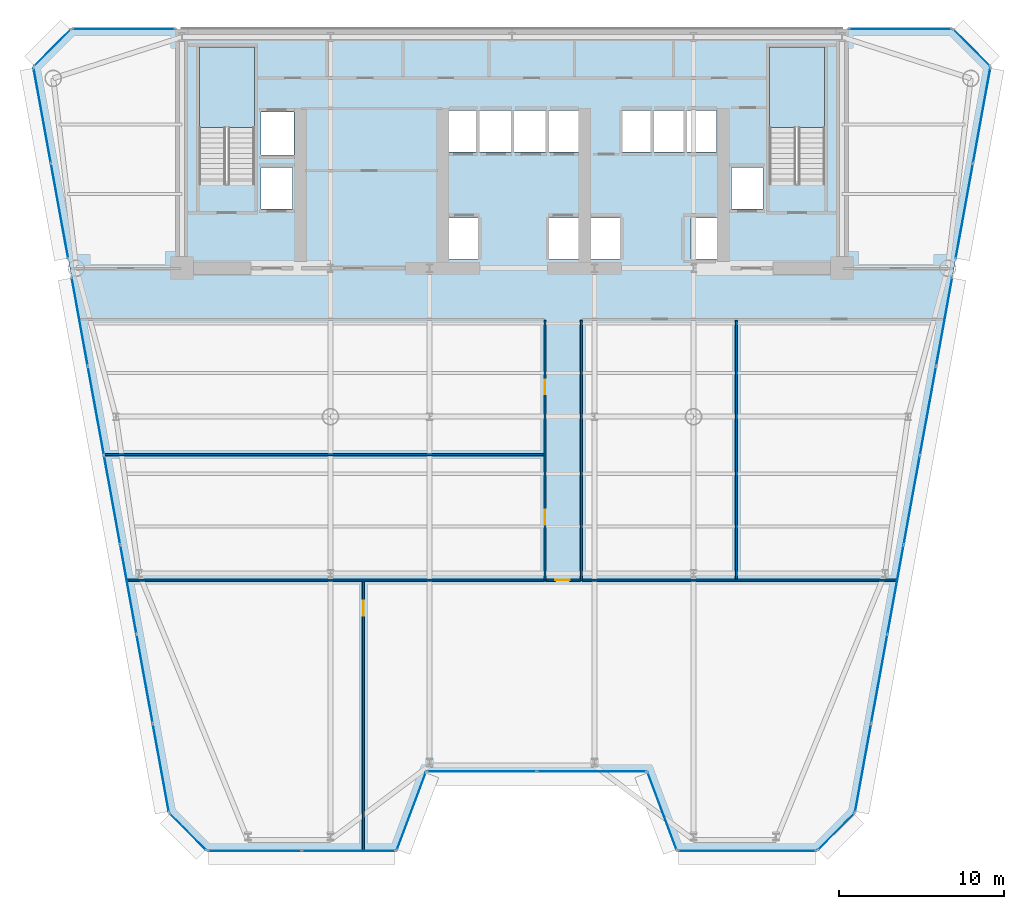
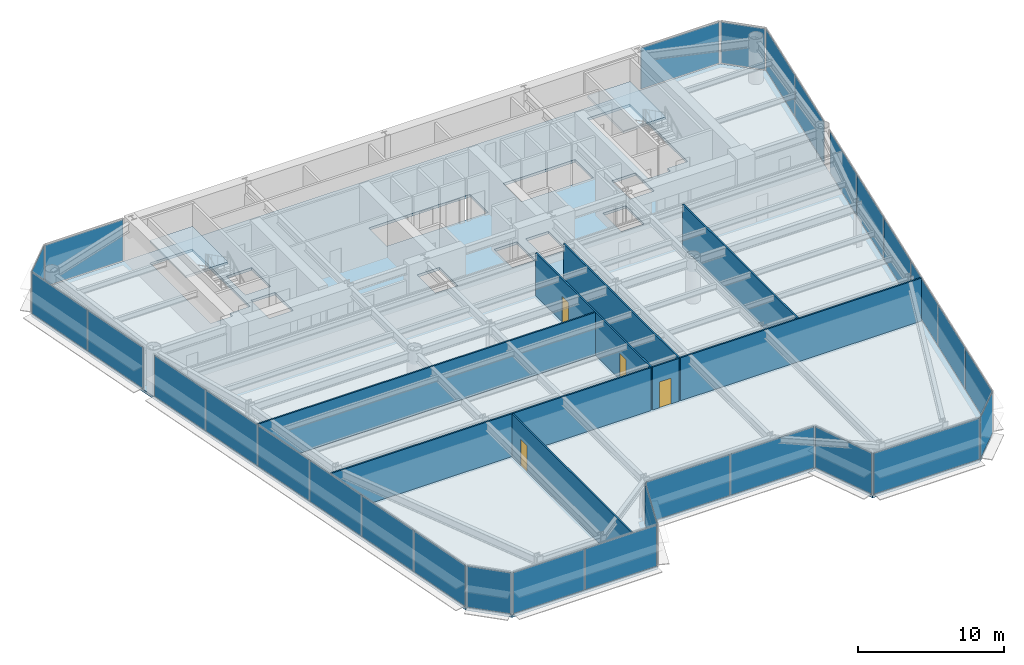
# One storey, part 7 of 14: 29 plates, 8 walls, 4 doors, 3 slabs, 4 openings, 17 elements without a shape of their own.
"""IFC4 building model written with IfcOpenShell, lengths in metres."""

from ifc_helpers import new_model, si_unit, direction, frame, frame_2d, origin, origin_2d, place, context, subcontext, project, spatial, polyline, rectangle, outline, extrude, source, transform, mapped, material, layer, layer_set, type_object, element, fill, aggregate, save


model = new_model("IFC4")

# Units and contexts
model_context = context("Model", 3, precision=1e-05, world=origin(), true_north=direction((0.0, 1.0)))
body_context = subcontext(model_context, "Body", "Model", "MODEL_VIEW")
ifc_project = project(units=[si_unit("LENGTHUNIT", "METRE"), si_unit("AREAUNIT", "SQUARE_METRE"), si_unit("VOLUMEUNIT", "CUBIC_METRE"), si_unit("PLANEANGLEUNIT", "RADIAN"), si_unit("MASSUNIT", "GRAM", prefix="KILO")], contexts=[model_context])

# Site, building, storey
site_placement = place(None, origin())
site = spatial("IfcSite", under=ifc_project, at=site_placement, CompositionType="ELEMENT")
building_placement = place(site_placement, origin())
building = spatial("IfcBuilding", under=site, at=building_placement, Name="Vaeldorn Concourse Tower", CompositionType="ELEMENT")
storey_placement = place(building_placement, frame((0.0, 0.0, 126.199951171875)))
storey = spatial("IfcBuildingStorey", under=building, at=storey_placement, Name="L32", CompositionType="ELEMENT", Elevation=126.199951171875)

# Stair, slab
ifc_material_1 = material(Name="Precast concrete C40/50", Category="concrete")
stair_type = type_object("IfcStairType", Name="STR-DOG-24x158", PredefinedType="HALF_TURN_STAIR", material=ifc_material_1)
stair_1_placement = place(storey_placement, origin())
stair_1 = element("IfcStair", 1, at=stair_1_placement, inside=storey, type_object=stair_type, Name="L32 West Core Exit Stair ST-1", PredefinedType="HALF_TURN_STAIR")
ifc_material_2 = material(Name="Concrete C40/50", Category="concrete")
ifc_layer_1 = layer(ifc_material_2, 0.199951171875)
ifc_layer_set_1 = layer_set([ifc_layer_1], Name="Concrete C40/50")
slab_type_1 = type_object("IfcSlabType", Name="SL-STAIR-LANDING", PredefinedType="LANDING", material=ifc_layer_set_1)
slab_1_placement = place(storey_placement, frame((0.0, 0.0, 1.699951171875)))
slab_1 = element("IfcSlab", 2, at=slab_1_placement, type_object=slab_type_1, Name="ST-1 landing 1", PredefinedType="LANDING", context=body_context, shape_type="SweptSolid", body=[
    extrude(outline(polyline([(18.39990234375, 45.010009765625), (18.39990234375, 49.89990234375), (15.050048828125, 49.89990234375), (15.050048828125, 45.010009765625), (18.39990234375, 45.010009765625)])), origin(), (0.0, 0.0, 1.0), 0.2001953125),
])
aggregate(stair_1, [slab_1])

stair_2_placement = place(storey_placement, origin())
stair_2 = element("IfcStair", 3, at=stair_2_placement, inside=storey, type_object=stair_type, Name="L32 East Core Exit Stair ST-2", PredefinedType="HALF_TURN_STAIR")
slab_2_placement = place(storey_placement, frame((0.0, 0.0, 1.699951171875)))
slab_2 = element("IfcSlab", 4, at=slab_2_placement, type_object=slab_type_1, Name="ST-2 landing 1", PredefinedType="LANDING", context=body_context, shape_type="SweptSolid", body=[
    extrude(outline(polyline([(52.949951171875, 45.010009765625), (52.949951171875, 49.89990234375), (49.60009765625, 49.89990234375), (49.60009765625, 45.010009765625), (52.949951171875, 45.010009765625)])), origin(), (0.0, 0.0, 1.0), 0.2001953125),
])
aggregate(stair_2, [slab_2])

# Slab
ifc_layer_2 = layer(ifc_material_2, 0.219970703125)
ifc_layer_set_2 = layer_set([ifc_layer_2], Name="Concrete C40/50")
slab_type_2 = type_object("IfcSlabType", Name="SL-TYP-220", PredefinedType="FLOOR", material=ifc_layer_set_2)
slab_3_placement = place(storey_placement, frame((0.0, 0.0, -0.219970703125)))
element("IfcSlab", 5, at=slab_3_placement, inside=storey, type_object=slab_type_2, Name="Structural Floor Slab L32", PredefinedType="FLOOR", context=body_context, shape_type="SweptSolid", body=[
    extrude(outline(polyline([(15.517822265625, 1.1953125), (27.0, 1.1953125), (28.800048828125, 5.995361328125), (42.199951171875, 5.995361328125), (44.0, 1.1953125), (52.482177734375, 1.1953125), (54.7822265625, 3.495361328125), (63.0, 48.699951171875), (60.699951171875, 51.0), (7.300048828125, 51.0), (5.0, 48.699951171875), (13.2177734375, 3.495361328125), (15.517822265625, 1.1953125)]), holes=[polyline([(18.39990234375, 42.0), (18.39990234375, 49.89990234375), (15.050048828125, 49.89990234375), (15.050048828125, 41.60009765625), (16.800048828125, 41.60009765625), (16.800048828125, 42.0), (18.39990234375, 42.0)]), polyline([(52.949951171875, 42.0), (52.949951171875, 49.89990234375), (49.60009765625, 49.89990234375), (49.60009765625, 41.60009765625), (51.35009765625, 41.60009765625), (51.35009765625, 42.0), (52.949951171875, 42.0)]), polyline([(30.14990234375, 37.050048828125), (31.949951171875, 37.050048828125), (31.949951171875, 39.550048828125), (30.14990234375, 39.550048828125), (30.14990234375, 37.050048828125)]), polyline([(36.25, 37.050048828125), (38.050048828125, 37.050048828125), (38.050048828125, 39.550048828125), (36.25, 39.550048828125), (36.25, 37.050048828125)]), polyline([(30.10009765625, 43.550048828125), (38.10009765625, 43.550048828125), (38.10009765625, 46.050048828125), (30.10009765625, 46.050048828125), (30.10009765625, 43.550048828125)]), polyline([(38.75, 37.050048828125), (40.550048828125, 37.050048828125), (40.550048828125, 39.550048828125), (38.75, 39.550048828125), (38.75, 37.050048828125)]), polyline([(44.85009765625, 37.050048828125), (46.64990234375, 37.050048828125), (46.64990234375, 39.550048828125), (44.85009765625, 39.550048828125), (44.85009765625, 37.050048828125)]), polyline([(40.699951171875, 43.550048828125), (46.39990234375, 43.550048828125), (46.39990234375, 46.050048828125), (40.699951171875, 46.050048828125), (40.699951171875, 43.550048828125)]), polyline([(18.800048828125, 43.35009765625), (20.800048828125, 43.35009765625), (20.800048828125, 45.949951171875), (18.800048828125, 45.949951171875), (18.800048828125, 43.35009765625)]), polyline([(18.800048828125, 40.10009765625), (20.699951171875, 40.10009765625), (20.699951171875, 42.60009765625), (18.800048828125, 42.60009765625), (18.800048828125, 40.10009765625)]), polyline([(47.300048828125, 40.10009765625), (49.199951171875, 40.10009765625), (49.199951171875, 42.60009765625), (47.300048828125, 42.60009765625), (47.300048828125, 40.10009765625)])]), origin(), (0.0, 0.0, 1.0), 0.219970703125),
])

# Curtain wall, plate
ifc_material_3 = material(Name="Anodised Bronze Aluminium", Category="aluminium")
ifc_layer_3 = layer(ifc_material_3, 0.199951171875)
ifc_layer_set_3 = layer_set([ifc_layer_3], Name="Anodised Bronze Aluminium")
curtain_wall_type = type_object("IfcCurtainWallType", Name="CW-SYS-02", PredefinedType="NOTDEFINED", material=ifc_layer_set_3)
curtain_wall_1_placement = place(storey_placement, origin())
curtain_wall_1 = element("IfcCurtainWall", 6, at=curtain_wall_1_placement, inside=storey, type_object=curtain_wall_type, Name="Unitised Curtain Wall CW-L32-E02-1", PredefinedType="NOTDEFINED")
ifc_material_4 = material(Name="Bronze Tinted Low-E Insulated Glass", Category="glass")
ifc_layer_4 = layer(ifc_material_4, 0.031982421875)
ifc_layer_set_4 = layer_set([ifc_layer_4], Name="Bronze Tinted Low-E Insulated Glass")
plate_type = type_object("IfcPlateType", Name="CWP-VISION-32", PredefinedType="CURTAIN_PANEL", material=ifc_layer_set_4)
shared_shape_1 = source(origin(), body_context, "Body", "SweptSolid", [
    extrude(rectangle(XDim=4.976318359375, YDim=0.031982421875, at=origin_2d()), origin(), (0.0, 0.0, 1.0), 3.429931640625),
])
plate_1_placement = place(storey_placement, frame((27.89990234375, 3.595458984375, 0.0751953125), z_axis=(0.0, 0.0, 1.0), x_axis=(0.351123441595, 0.936329177566, 0.0)))
plate_1 = element("IfcPlate", 7, at=plate_1_placement, type_object=plate_type, Name="CW-02 panel 1.1", PredefinedType="CURTAIN_PANEL", context=body_context, shape_type="MappedRepresentation", body=[
    mapped(shared_shape_1, transform((0.0, 0.0, 0.0), scale=1.0)),
])
aggregate(curtain_wall_1, [plate_1])

curtain_wall_2_placement = place(storey_placement, origin())
curtain_wall_2 = element("IfcCurtainWall", 8, at=curtain_wall_2_placement, inside=storey, type_object=curtain_wall_type, Name="Unitised Curtain Wall CW-L32-E04-1", PredefinedType="NOTDEFINED")
plate_2_placement = place(storey_placement, frame((43.10009765625, 3.595458984375, 0.0751953125), z_axis=(0.0, 0.0, 1.0), x_axis=(0.351123441595, -0.936329177566, 0.0)))
plate_2 = element("IfcPlate", 9, at=plate_2_placement, type_object=plate_type, Name="CW-02 panel 1.1", PredefinedType="CURTAIN_PANEL", context=body_context, shape_type="MappedRepresentation", body=[
    mapped(shared_shape_1, transform((0.0, 0.0, 0.0), scale=1.0)),
])
aggregate(curtain_wall_2, [plate_2])

# Curtain wall, plates
curtain_wall_3_placement = place(storey_placement, origin())
curtain_wall_3 = element("IfcCurtainWall", 10, at=curtain_wall_3_placement, inside=storey, type_object=curtain_wall_type, Name="Unitised Curtain Wall CW-L32-E03-1", PredefinedType="NOTDEFINED")
shared_shape_2 = source(origin(), body_context, "Body", "SweptSolid", [
    extrude(rectangle(XDim=6.58740234375, YDim=0.031982421875, at=origin_2d()), origin(), (0.0, 0.0, 1.0), 3.429931640625),
])
plate_3_placement = place(storey_placement, frame((32.168701171875, 5.995361328125, 0.0751953125), z_axis=(0.0, 0.0, 1.0), x_axis=(1.0, 0.0, 0.0)))
plate_3 = element("IfcPlate", 11, at=plate_3_placement, type_object=plate_type, Name="CW-02 panel 1.1", PredefinedType="CURTAIN_PANEL", context=body_context, shape_type="MappedRepresentation", body=[
    mapped(shared_shape_2, transform((0.0, 0.0, 0.0), scale=1.0)),
])
plate_4_placement = place(storey_placement, frame((38.831298828125, 5.995361328125, 0.0751953125), z_axis=(0.0, 0.0, 1.0), x_axis=(1.0, 0.0, 0.0)))
plate_4 = element("IfcPlate", 12, at=plate_4_placement, type_object=plate_type, Name="CW-02 panel 2.1", PredefinedType="CURTAIN_PANEL", context=body_context, shape_type="MappedRepresentation", body=[
    mapped(shared_shape_2, transform((0.0, 0.0, 0.0), scale=1.0)),
])
aggregate(curtain_wall_3, [plate_3, plate_4])

# Curtain wall, plate
curtain_wall_4_placement = place(storey_placement, origin())
curtain_wall_4 = element("IfcCurtainWall", 13, at=curtain_wall_4_placement, inside=storey, type_object=curtain_wall_type, Name="Unitised Curtain Wall CW-L32-E06-1", PredefinedType="NOTDEFINED")
shared_shape_3 = source(origin(), body_context, "Body", "SweptSolid", [
    extrude(rectangle(XDim=3.102783203125, YDim=0.031982421875, at=origin_2d()), origin(), (0.0, 0.0, 1.0), 3.429931640625),
])
plate_5_placement = place(storey_placement, frame((53.632080078125, 2.345458984375, 0.0751953125), z_axis=(0.0, 0.0, 1.0), x_axis=(0.707106781187, 0.707106781187, 0.0)))
plate_5 = element("IfcPlate", 14, at=plate_5_placement, type_object=plate_type, Name="CW-02 panel 1.1", PredefinedType="CURTAIN_PANEL", context=body_context, shape_type="MappedRepresentation", body=[
    mapped(shared_shape_3, transform((0.0, 0.0, 0.0), scale=1.0)),
])
aggregate(curtain_wall_4, [plate_5])

curtain_wall_5_placement = place(storey_placement, origin())
curtain_wall_5 = element("IfcCurtainWall", 15, at=curtain_wall_5_placement, inside=storey, type_object=curtain_wall_type, Name="Unitised Curtain Wall CW-L32-E08-1", PredefinedType="NOTDEFINED")
plate_6_placement = place(storey_placement, frame((61.85009765625, 49.85009765625, 0.0751953125), z_axis=(0.0, 0.0, 1.0), x_axis=(-0.707106781187, 0.707106781187, 0.0)))
plate_6 = element("IfcPlate", 16, at=plate_6_placement, type_object=plate_type, Name="CW-02 panel 1.1", PredefinedType="CURTAIN_PANEL", context=body_context, shape_type="MappedRepresentation", body=[
    mapped(shared_shape_3, transform((0.0, 0.0, 0.0), scale=1.0)),
])
aggregate(curtain_wall_5, [plate_6])

curtain_wall_6_placement = place(storey_placement, origin())
curtain_wall_6 = element("IfcCurtainWall", 17, at=curtain_wall_6_placement, inside=storey, type_object=curtain_wall_type, Name="Unitised Curtain Wall CW-L32-E10-1", PredefinedType="NOTDEFINED")
plate_7_placement = place(storey_placement, frame((6.14990234375, 49.85009765625, 0.0751953125), z_axis=(0.0, 0.0, 1.0), x_axis=(-0.707106781187, -0.707106781187, 0.0)))
plate_7 = element("IfcPlate", 18, at=plate_7_placement, type_object=plate_type, Name="CW-02 panel 1.1", PredefinedType="CURTAIN_PANEL", context=body_context, shape_type="MappedRepresentation", body=[
    mapped(shared_shape_3, transform((0.0, 0.0, 0.0), scale=1.0)),
])
aggregate(curtain_wall_6, [plate_7])

curtain_wall_7_placement = place(storey_placement, origin())
curtain_wall_7 = element("IfcCurtainWall", 19, at=curtain_wall_7_placement, inside=storey, type_object=curtain_wall_type, Name="Unitised Curtain Wall CW-L32-E12-1", PredefinedType="NOTDEFINED")
plate_8_placement = place(storey_placement, frame((14.367919921875, 2.345458984375, 0.0751953125), z_axis=(0.0, 0.0, 1.0), x_axis=(0.707106781187, -0.707106781187, 0.0)))
plate_8 = element("IfcPlate", 20, at=plate_8_placement, type_object=plate_type, Name="CW-02 panel 1.1", PredefinedType="CURTAIN_PANEL", context=body_context, shape_type="MappedRepresentation", body=[
    mapped(shared_shape_3, transform((0.0, 0.0, 0.0), scale=1.0)),
])
aggregate(curtain_wall_7, [plate_8])

# Curtain wall, plates
curtain_wall_8_placement = place(storey_placement, origin())
curtain_wall_8 = element("IfcCurtainWall", 21, at=curtain_wall_8_placement, inside=storey, type_object=curtain_wall_type, Name="Unitised Curtain Wall CW-L32-E01-1", PredefinedType="NOTDEFINED")
shared_shape_4 = source(origin(), body_context, "Body", "SweptSolid", [
    extrude(rectangle(XDim=5.628662109375, YDim=0.031982421875, at=origin_2d()), origin(), (0.0, 0.0, 1.0), 3.429931640625),
])
plate_9_placement = place(storey_placement, frame((18.406982421875, 1.1953125, 0.0751953125), z_axis=(0.0, 0.0, 1.0), x_axis=(1.0, 0.0, 0.0)))
plate_9 = element("IfcPlate", 22, at=plate_9_placement, type_object=plate_type, Name="CW-02 panel 1.1", PredefinedType="CURTAIN_PANEL", context=body_context, shape_type="MappedRepresentation", body=[
    mapped(shared_shape_4, transform((0.0, 0.0, 0.0), scale=1.0)),
])
plate_10_placement = place(storey_placement, frame((24.110595703125, 1.1953125, 0.0751953125), z_axis=(0.0, 0.0, 1.0), x_axis=(1.0, 0.0, 0.0)))
plate_10 = element("IfcPlate", 23, at=plate_10_placement, type_object=plate_type, Name="CW-02 panel 2.1", PredefinedType="CURTAIN_PANEL", context=body_context, shape_type="MappedRepresentation", body=[
    mapped(shared_shape_4, transform((0.0, 0.0, 0.0), scale=1.0)),
])
aggregate(curtain_wall_8, [plate_9, plate_10])

# Curtain wall, plate
curtain_wall_9_placement = place(storey_placement, origin())
curtain_wall_9 = element("IfcCurtainWall", 24, at=curtain_wall_9_placement, inside=storey, type_object=curtain_wall_type, Name="Unitised Curtain Wall CW-L32-E05-1", PredefinedType="NOTDEFINED")
shared_shape_5 = source(origin(), body_context, "Body", "SweptSolid", [
    extrude(rectangle(XDim=8.332275390625, YDim=0.031982421875, at=origin_2d()), origin(), (0.0, 0.0, 1.0), 3.429931640625),
])
plate_11_placement = place(storey_placement, frame((48.2412109375, 1.1953125, 0.0751953125), z_axis=(0.0, 0.0, 1.0), x_axis=(1.0, 0.0, 0.0)))
plate_11 = element("IfcPlate", 25, at=plate_11_placement, type_object=plate_type, Name="CW-02 panel 1.1", PredefinedType="CURTAIN_PANEL", context=body_context, shape_type="MappedRepresentation", body=[
    mapped(shared_shape_5, transform((0.0, 0.0, 0.0), scale=1.0)),
])
aggregate(curtain_wall_9, [plate_11])

curtain_wall_10_placement = place(storey_placement, origin())
curtain_wall_10 = element("IfcCurtainWall", 26, at=curtain_wall_10_placement, inside=storey, type_object=curtain_wall_type, Name="Unitised Curtain Wall CW-L32-E09-1", PredefinedType="NOTDEFINED")
shared_shape_6 = source(origin(), body_context, "Body", "SweptSolid", [
    extrude(rectangle(XDim=6.179931640625, YDim=0.031982421875, at=origin_2d()), origin(), (0.0, 0.0, 1.0), 3.429931640625),
])
plate_12_placement = place(storey_placement, frame((57.534912109375, 51.0, 0.0751953125), z_axis=(0.0, 0.0, 1.0), x_axis=(-1.0, 0.0, 0.0)))
plate_12 = element("IfcPlate", 27, at=plate_12_placement, type_object=plate_type, Name="CW-02 panel 1.1", PredefinedType="CURTAIN_PANEL", context=body_context, shape_type="MappedRepresentation", body=[
    mapped(shared_shape_6, transform((0.0, 0.0, 0.0), scale=1.0)),
])
aggregate(curtain_wall_10, [plate_12])

curtain_wall_11_placement = place(storey_placement, origin())
curtain_wall_11 = element("IfcCurtainWall", 28, at=curtain_wall_11_placement, inside=storey, type_object=curtain_wall_type, Name="Unitised Curtain Wall CW-L32-E09-2", PredefinedType="NOTDEFINED")
plate_13_placement = place(storey_placement, frame((10.465087890625, 51.0, 0.0751953125), z_axis=(0.0, 0.0, 1.0), x_axis=(-1.0, 0.0, 0.0)))
plate_13 = element("IfcPlate", 29, at=plate_13_placement, type_object=plate_type, Name="CW-02 panel 1.1", PredefinedType="CURTAIN_PANEL", context=body_context, shape_type="MappedRepresentation", body=[
    mapped(shared_shape_6, transform((0.0, 0.0, 0.0), scale=1.0)),
])
aggregate(curtain_wall_11, [plate_13])

# Curtain wall, plates
curtain_wall_12_placement = place(storey_placement, origin())
curtain_wall_12 = element("IfcCurtainWall", 30, at=curtain_wall_12_placement, inside=storey, type_object=curtain_wall_type, Name="Unitised Curtain Wall CW-L32-E07-2", PredefinedType="NOTDEFINED")
shared_shape_7 = source(origin(), body_context, "Body", "SweptSolid", [
    extrude(rectangle(XDim=5.82421875, YDim=0.031982421875, at=origin_2d()), origin(), (0.0, 0.0, 1.0), 3.429931640625),
])
plate_14_placement = place(storey_placement, frame((61.41064453125, 39.95703125, 0.0751953125), z_axis=(0.0, 0.0, 1.0), x_axis=(0.178860980243, 0.983874356687, 0.0)))
plate_14 = element("IfcPlate", 31, at=plate_14_placement, type_object=plate_type, Name="CW-02 panel 1.1", PredefinedType="CURTAIN_PANEL", context=body_context, shape_type="MappedRepresentation", body=[
    mapped(shared_shape_7, transform((0.0, 0.0, 0.0), scale=1.0)),
])
plate_15_placement = place(storey_placement, frame((62.4658203125, 45.760986328125, 0.0751953125), z_axis=(0.0, 0.0, 1.0), x_axis=(0.178860980243, 0.983874356687, 0.0)))
plate_15 = element("IfcPlate", 32, at=plate_15_placement, type_object=plate_type, Name="CW-02 panel 2.1", PredefinedType="CURTAIN_PANEL", context=body_context, shape_type="MappedRepresentation", body=[
    mapped(shared_shape_7, transform((0.0, 0.0, 0.0), scale=1.0)),
])
aggregate(curtain_wall_12, [plate_14, plate_15])

curtain_wall_13_placement = place(storey_placement, origin())
curtain_wall_13 = element("IfcCurtainWall", 33, at=curtain_wall_13_placement, inside=storey, type_object=curtain_wall_type, Name="Unitised Curtain Wall CW-L32-E11-1", PredefinedType="NOTDEFINED")
plate_16_placement = place(storey_placement, frame((5.5341796875, 45.760986328125, 0.0751953125), z_axis=(0.0, 0.0, 1.0), x_axis=(0.178860980243, -0.983874356687, 0.0)))
plate_16 = element("IfcPlate", 34, at=plate_16_placement, type_object=plate_type, Name="CW-02 panel 1.1", PredefinedType="CURTAIN_PANEL", context=body_context, shape_type="MappedRepresentation", body=[
    mapped(shared_shape_7, transform((0.0, 0.0, 0.0), scale=1.0)),
])
plate_17_placement = place(storey_placement, frame((6.58935546875, 39.95703125, 0.0751953125), z_axis=(0.0, 0.0, 1.0), x_axis=(0.178860980243, -0.983874356687, 0.0)))
plate_17 = element("IfcPlate", 35, at=plate_17_placement, type_object=plate_type, Name="CW-02 panel 2.1", PredefinedType="CURTAIN_PANEL", context=body_context, shape_type="MappedRepresentation", body=[
    mapped(shared_shape_7, transform((0.0, 0.0, 0.0), scale=1.0)),
])
aggregate(curtain_wall_13, [plate_16, plate_17])

curtain_wall_14_placement = place(storey_placement, origin())
curtain_wall_14 = element("IfcCurtainWall", 36, at=curtain_wall_14_placement, inside=storey, type_object=curtain_wall_type, Name="Unitised Curtain Wall CW-L32-E07-1", PredefinedType="NOTDEFINED")
shared_shape_8 = source(origin(), body_context, "Body", "SweptSolid", [
    extrude(rectangle(XDim=5.390625, YDim=0.031982421875, at=origin_2d()), origin(), (0.0, 0.0, 1.0), 3.429931640625),
])
plate_18_placement = place(storey_placement, frame((55.277587890625, 6.220947265625, 0.0751953125), z_axis=(0.0, 0.0, 1.0), x_axis=(0.178860385943, 0.983874464726, 0.0)))
plate_18 = element("IfcPlate", 37, at=plate_18_placement, type_object=plate_type, Name="CW-02 panel 1.1", PredefinedType="CURTAIN_PANEL", context=body_context, shape_type="MappedRepresentation", body=[
    mapped(shared_shape_8, transform((0.0, 0.0, 0.0), scale=1.0)),
])
plate_19_placement = place(storey_placement, frame((60.1923828125, 33.25634765625, 0.0751953125), z_axis=(0.0, 0.0, 1.0), x_axis=(0.178860385943, 0.983874464726, 0.0)))
plate_19 = element("IfcPlate", 38, at=plate_19_placement, type_object=plate_type, Name="CW-02 panel 6.1", PredefinedType="CURTAIN_PANEL", context=body_context, shape_type="MappedRepresentation", body=[
    mapped(shared_shape_8, transform((0.0, 0.0, 0.0), scale=1.0)),
])

curtain_wall_15_placement = place(storey_placement, origin())
curtain_wall_15 = element("IfcCurtainWall", 39, at=curtain_wall_15_placement, inside=storey, type_object=curtain_wall_type, Name="Unitised Curtain Wall CW-L32-E11-2", PredefinedType="NOTDEFINED")
plate_20_placement = place(storey_placement, frame((7.8076171875, 33.25634765625, 0.0751953125), z_axis=(0.0, 0.0, 1.0), x_axis=(0.178860385943, -0.983874464726, 0.0)))
plate_20 = element("IfcPlate", 40, at=plate_20_placement, type_object=plate_type, Name="CW-02 panel 1.1", PredefinedType="CURTAIN_PANEL", context=body_context, shape_type="MappedRepresentation", body=[
    mapped(shared_shape_8, transform((0.0, 0.0, 0.0), scale=1.0)),
])
plate_21_placement = place(storey_placement, frame((12.722412109375, 6.220947265625, 0.0751953125), z_axis=(0.0, 0.0, 1.0), x_axis=(0.178860385943, -0.983874464726, 0.0)))
plate_21 = element("IfcPlate", 41, at=plate_21_placement, type_object=plate_type, Name="CW-02 panel 6.1", PredefinedType="CURTAIN_PANEL", context=body_context, shape_type="MappedRepresentation", body=[
    mapped(shared_shape_8, transform((0.0, 0.0, 0.0), scale=1.0)),
])

# Plate
shared_shape_9 = source(origin(), body_context, "Body", "SweptSolid", [
    extrude(rectangle(XDim=5.42822265625, YDim=0.031982421875, at=origin_2d()), origin(), (0.0, 0.0, 1.0), 3.429931640625),
])
plate_22_placement = place(storey_placement, frame((56.258544921875, 11.616943359375, 0.0751953125), z_axis=(0.0, 0.0, 1.0), x_axis=(0.178860385943, 0.983874464726, 0.0)))
plate_22 = element("IfcPlate", 42, at=plate_22_placement, type_object=plate_type, Name="CW-02 panel 2.1", PredefinedType="CURTAIN_PANEL", context=body_context, shape_type="MappedRepresentation", body=[
    mapped(shared_shape_9, transform((0.0, 0.0, 0.0), scale=1.0)),
])

plate_23_placement = place(storey_placement, frame((57.242919921875, 17.031494140625, 0.0751953125), z_axis=(0.0, 0.0, 1.0), x_axis=(0.178860385943, 0.983874464726, 0.0)))
plate_23 = element("IfcPlate", 43, at=plate_23_placement, type_object=plate_type, Name="CW-02 panel 3.1", PredefinedType="CURTAIN_PANEL", context=body_context, shape_type="MappedRepresentation", body=[
    mapped(shared_shape_9, transform((0.0, 0.0, 0.0), scale=1.0)),
])

plate_24_placement = place(storey_placement, frame((58.227294921875, 22.44580078125, 0.0751953125), z_axis=(0.0, 0.0, 1.0), x_axis=(0.178860385943, 0.983874464726, 0.0)))
plate_24 = element("IfcPlate", 44, at=plate_24_placement, type_object=plate_type, Name="CW-02 panel 4.1", PredefinedType="CURTAIN_PANEL", context=body_context, shape_type="MappedRepresentation", body=[
    mapped(shared_shape_9, transform((0.0, 0.0, 0.0), scale=1.0)),
])

plate_25_placement = place(storey_placement, frame((59.211669921875, 27.8603515625, 0.0751953125), z_axis=(0.0, 0.0, 1.0), x_axis=(0.178860385943, 0.983874464726, 0.0)))
plate_25 = element("IfcPlate", 45, at=plate_25_placement, type_object=plate_type, Name="CW-02 panel 5.1", PredefinedType="CURTAIN_PANEL", context=body_context, shape_type="MappedRepresentation", body=[
    mapped(shared_shape_9, transform((0.0, 0.0, 0.0), scale=1.0)),
])

aggregate(curtain_wall_14, [plate_18, plate_22, plate_23, plate_24, plate_25, plate_19])

plate_26_placement = place(storey_placement, frame((8.788330078125, 27.8603515625, 0.0751953125), z_axis=(0.0, 0.0, 1.0), x_axis=(0.178860385943, -0.983874464726, 0.0)))
plate_26 = element("IfcPlate", 46, at=plate_26_placement, type_object=plate_type, Name="CW-02 panel 2.1", PredefinedType="CURTAIN_PANEL", context=body_context, shape_type="MappedRepresentation", body=[
    mapped(shared_shape_9, transform((0.0, 0.0, 0.0), scale=1.0)),
])

plate_27_placement = place(storey_placement, frame((9.772705078125, 22.44580078125, 0.0751953125), z_axis=(0.0, 0.0, 1.0), x_axis=(0.178860385943, -0.983874464726, 0.0)))
plate_27 = element("IfcPlate", 47, at=plate_27_placement, type_object=plate_type, Name="CW-02 panel 3.1", PredefinedType="CURTAIN_PANEL", context=body_context, shape_type="MappedRepresentation", body=[
    mapped(shared_shape_9, transform((0.0, 0.0, 0.0), scale=1.0)),
])

plate_28_placement = place(storey_placement, frame((10.757080078125, 17.031494140625, 0.0751953125), z_axis=(0.0, 0.0, 1.0), x_axis=(0.178860385943, -0.983874464726, 0.0)))
plate_28 = element("IfcPlate", 48, at=plate_28_placement, type_object=plate_type, Name="CW-02 panel 4.1", PredefinedType="CURTAIN_PANEL", context=body_context, shape_type="MappedRepresentation", body=[
    mapped(shared_shape_9, transform((0.0, 0.0, 0.0), scale=1.0)),
])

plate_29_placement = place(storey_placement, frame((11.741455078125, 11.616943359375, 0.0751953125), z_axis=(0.0, 0.0, 1.0), x_axis=(0.178860385943, -0.983874464726, 0.0)))
plate_29 = element("IfcPlate", 49, at=plate_29_placement, type_object=plate_type, Name="CW-02 panel 5.1", PredefinedType="CURTAIN_PANEL", context=body_context, shape_type="MappedRepresentation", body=[
    mapped(shared_shape_9, transform((0.0, 0.0, 0.0), scale=1.0)),
])

aggregate(curtain_wall_15, [plate_20, plate_26, plate_27, plate_28, plate_29, plate_21])

# Wall, openings, doors
ifc_material_5 = material(Name="Gypsum Board Partition", Category="gypsum")
ifc_layer_5 = layer(ifc_material_5, 0.1201171875)
ifc_layer_set_5 = layer_set([ifc_layer_5], Name="Gypsum Board Partition")
wall_type = type_object("IfcWallType", Name="WL-PART-120", PredefinedType="PARTITIONING", material=ifc_layer_set_5)
wall_1_placement = place(storey_placement, frame((36.0, 17.60009765625, 0.0), z_axis=(0.0, 0.0, 1.0), x_axis=(0.0, 1.0, 0.0)))
wall_1 = element("IfcWall", 50, at=wall_1_placement, inside=storey, type_object=wall_type, Name="Interior Wall PW-L32-SP2W", PredefinedType="PARTITIONING", context=body_context, shape_type="SweptSolid", body=[
    extrude(rectangle(XDim=15.739990234375, YDim=0.1201171875, at=frame_2d((7.8701171875, 0.0))), origin(), (0.0, 0.0, 1.0), 3.580078125),
])
opening_1_placement = place(wall_1_placement, frame((3.35009765625, 0.0, 0.0)))
opening_1 = element("IfcOpeningElement", 51, at=opening_1_placement, cuts=wall_1, Name="Opening D-03", PredefinedType="OPENING", context=body_context, shape_type="SweptSolid", body=[
    extrude(rectangle(XDim=0.89990234375, YDim=2.14990234375, at=frame_2d((0.449951171875, 1.074951171875))), frame((0.0, 0.070068359375, 0.0), z_axis=(0.0, -1.0, 0.0), x_axis=(1.0, 0.0, 0.0)), (0.0, 0.0, 1.0), 0.14013671875),
])
opening_2_placement = place(wall_1_placement, frame((11.25, 0.0, 0.0)))
opening_2 = element("IfcOpeningElement", 52, at=opening_2_placement, cuts=wall_1, Name="Opening D-03", PredefinedType="OPENING", context=body_context, shape_type="SweptSolid", body=[
    extrude(rectangle(XDim=0.89990234375, YDim=2.14990234375, at=frame_2d((0.449951171875, 1.074951171875))), frame((0.0, 0.070068359375, 0.0), z_axis=(0.0, -1.0, 0.0), x_axis=(1.0, 0.0, 0.0)), (0.0, 0.0, 1.0), 0.14013671875),
])
ifc_material_6 = material(Name="Acoustic Bronze-Framed Glass Door", Category="glass")
door_type = type_object("IfcDoorType", Name="DR-INT-900", OperationType="NOTDEFINED", PredefinedType="DOOR", material=ifc_material_6)
shared_shape_10 = source(origin(), body_context, "Body", "SweptSolid", [
    extrude(rectangle(XDim=0.89990234375, YDim=2.14990234375, at=frame_2d((0.449951171875, 1.074951171875))), frame((0.0, 0.02490234375, 0.0), z_axis=(0.0, -1.0, 0.0), x_axis=(1.0, 0.0, 0.0)), (0.0, 0.0, 1.0), 0.050048828125),
])
door_1_placement = place(opening_1_placement, origin())
door_1 = element("IfcDoor", 53, at=door_1_placement, inside=storey, type_object=door_type, Name="Interior Door DR-L32-Z2W1", OperationType="SINGLE_SWING_LEFT", OverallHeight=2.14990234375, OverallWidth=0.89990234375, PredefinedType="DOOR", context=body_context, shape_type="MappedRepresentation", body=[
    mapped(shared_shape_10, transform((0.0, 0.0, 0.0), scale=1.0)),
])
fill(opening_1, door_1)
door_2_placement = place(opening_2_placement, origin())
door_2 = element("IfcDoor", 54, at=door_2_placement, inside=storey, type_object=door_type, Name="Interior Door DR-L32-Z2W2", OperationType="SINGLE_SWING_RIGHT", OverallHeight=2.14990234375, OverallWidth=0.89990234375, PredefinedType="DOOR", context=body_context, shape_type="MappedRepresentation", body=[
    mapped(shared_shape_10, transform((0.0, 0.0, 0.0), scale=1.0)),
])
fill(opening_2, door_2)

# Wall
wall_2_placement = place(storey_placement, frame((38.199951171875, 17.60009765625, 0.0), z_axis=(0.0, 0.0, 1.0), x_axis=(0.0, 1.0, 0.0)))
element("IfcWall", 55, at=wall_2_placement, inside=storey, type_object=wall_type, Name="Interior Wall PW-L32-SP2E", PredefinedType="PARTITIONING", context=body_context, shape_type="SweptSolid", body=[
    extrude(rectangle(XDim=15.739990234375, YDim=0.1201171875, at=frame_2d((7.8701171875, 0.0))), origin(), (0.0, 0.0, 1.0), 3.580078125),
])

# Wall, opening, door
wall_3_placement = place(storey_placement, frame((36.06005859375, 17.60009765625, 0.0), z_axis=(0.0, 0.0, 1.0), x_axis=(1.0, 0.0, 0.0)))
wall_3 = element("IfcWall", 56, at=wall_3_placement, inside=storey, type_object=wall_type, Name="Interior Wall PW-L32-SP2S", PredefinedType="PARTITIONING", context=body_context, shape_type="SweptSolid", body=[
    extrude(rectangle(XDim=2.079833984375, YDim=0.1201171875, at=frame_2d((1.0400390625, 0.0))), origin(), (0.0, 0.0, 1.0), 3.580078125),
])
opening_3_placement = place(wall_3_placement, frame((0.550048828125, 0.0, 0.0)))
opening_3 = element("IfcOpeningElement", 57, at=opening_3_placement, cuts=wall_3, Name="Opening D-03", PredefinedType="OPENING", context=body_context, shape_type="SweptSolid", body=[
    extrude(rectangle(XDim=0.89990234375, YDim=2.14990234375, at=frame_2d((0.449951171875, 1.074951171875))), frame((0.0, 0.070068359375, 0.0), z_axis=(0.0, -1.0, 0.0), x_axis=(1.0, 0.0, 0.0)), (0.0, 0.0, 1.0), 0.14013671875),
])
door_3_placement = place(opening_3_placement, origin())
door_3 = element("IfcDoor", 58, at=door_3_placement, inside=storey, type_object=door_type, Name="Interior Door DR-L32-Z2SFM", OperationType="SINGLE_SWING_LEFT", OverallHeight=2.14990234375, OverallWidth=0.89990234375, PredefinedType="DOOR", context=body_context, shape_type="MappedRepresentation", body=[
    mapped(shared_shape_10, transform((0.0, 0.0, 0.0), scale=1.0)),
])
fill(opening_3, door_3)

# Walls
wall_4_placement = place(storey_placement, frame((10.693603515625, 17.60009765625, 0.0), z_axis=(0.0, 0.0, 1.0), x_axis=(1.0, 0.0, 0.0)))
element("IfcWall", 59, at=wall_4_placement, inside=storey, type_object=wall_type, Name="Interior Wall PW-L32-S2WL", PredefinedType="PARTITIONING", context=body_context, shape_type="SweptSolid", body=[
    extrude(rectangle(XDim=25.246337890625, YDim=0.1201171875, at=frame_2d((12.623046875, 0.0))), origin(), (0.0, 0.0, 1.0), 3.580078125),
])
wall_5_placement = place(storey_placement, frame((38.260009765625, 17.60009765625, 0.0), z_axis=(0.0, 0.0, 1.0), x_axis=(1.0, 0.0, 0.0)))
element("IfcWall", 60, at=wall_5_placement, inside=storey, type_object=wall_type, Name="Interior Wall PW-L32-S2EL", PredefinedType="PARTITIONING", context=body_context, shape_type="SweptSolid", body=[
    extrude(rectangle(XDim=19.04638671875, YDim=0.1201171875, at=frame_2d((9.523193359375, 0.0))), origin(), (0.0, 0.0, 1.0), 3.580078125),
])

# Wall, opening, door
wall_6_placement = place(storey_placement, frame((25.0, 1.2353515625, 0.0), z_axis=(0.0, 0.0, 1.0), x_axis=(0.0, 1.0, 0.0)))
wall_6 = element("IfcWall", 61, at=wall_6_placement, inside=storey, type_object=wall_type, Name="Interior Wall PW-L32-Z2SFX1", PredefinedType="PARTITIONING", context=body_context, shape_type="SweptSolid", body=[
    extrude(rectangle(XDim=16.3046875, YDim=0.1201171875, at=frame_2d((8.15234375, 0.0))), origin(), (0.0, 0.0, 1.0), 3.580078125),
])
opening_4_placement = place(wall_6_placement, frame((14.205078125, 0.0, 0.0)))
opening_4 = element("IfcOpeningElement", 62, at=opening_4_placement, cuts=wall_6, Name="Opening D-03", PredefinedType="OPENING", context=body_context, shape_type="SweptSolid", body=[
    extrude(rectangle(XDim=0.89990234375, YDim=2.14990234375, at=frame_2d((0.449951171875, 1.074951171875))), frame((0.0, 0.070068359375, 0.0), z_axis=(0.0, -1.0, 0.0), x_axis=(1.0, 0.0, 0.0)), (0.0, 0.0, 1.0), 0.14013671875),
])
door_4_placement = place(opening_4_placement, origin())
door_4 = element("IfcDoor", 63, at=door_4_placement, inside=storey, type_object=door_type, Name="Interior Door DR-L32-Z2SFX1", OperationType="SINGLE_SWING_RIGHT", OverallHeight=2.14990234375, OverallWidth=0.89990234375, PredefinedType="DOOR", context=body_context, shape_type="MappedRepresentation", body=[
    mapped(shared_shape_10, transform((0.0, 0.0, 0.0), scale=1.0)),
])
fill(opening_4, door_4)

# Walls
wall_7_placement = place(storey_placement, frame((9.31201171875, 25.199951171875, 0.0), z_axis=(0.0, 0.0, 1.0), x_axis=(1.0, 0.0, 0.0)))
element("IfcWall", 64, at=wall_7_placement, inside=storey, type_object=wall_type, Name="Interior Wall PW-L32-Z2WY1", PredefinedType="PARTITIONING", context=body_context, shape_type="SweptSolid", body=[
    extrude(rectangle(XDim=26.6279296875, YDim=0.1201171875, at=frame_2d((13.31396484375, 0.0))), origin(), (0.0, 0.0, 1.0), 3.580078125),
])
wall_8_placement = place(storey_placement, frame((47.60009765625, 17.659912109375, 0.0), z_axis=(0.0, 0.0, 1.0), x_axis=(0.0, 1.0, 0.0)))
element("IfcWall", 65, at=wall_8_placement, inside=storey, type_object=wall_type, Name="Interior Wall PW-L32-Z2EX1", PredefinedType="PARTITIONING", context=body_context, shape_type="SweptSolid", body=[
    extrude(rectangle(XDim=15.68017578125, YDim=0.1201171875, at=frame_2d((7.840087890625, 0.0))), origin(), (0.0, 0.0, 1.0), 3.580078125),
])

save(model, "model.ifc")
